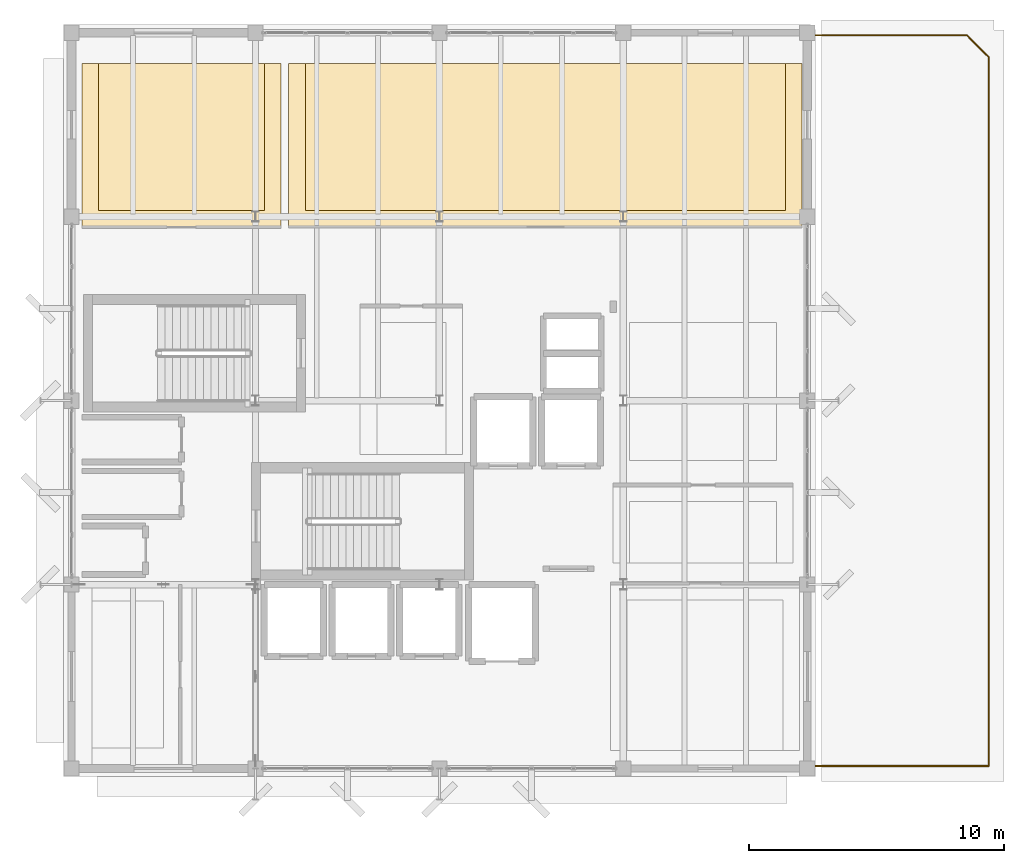
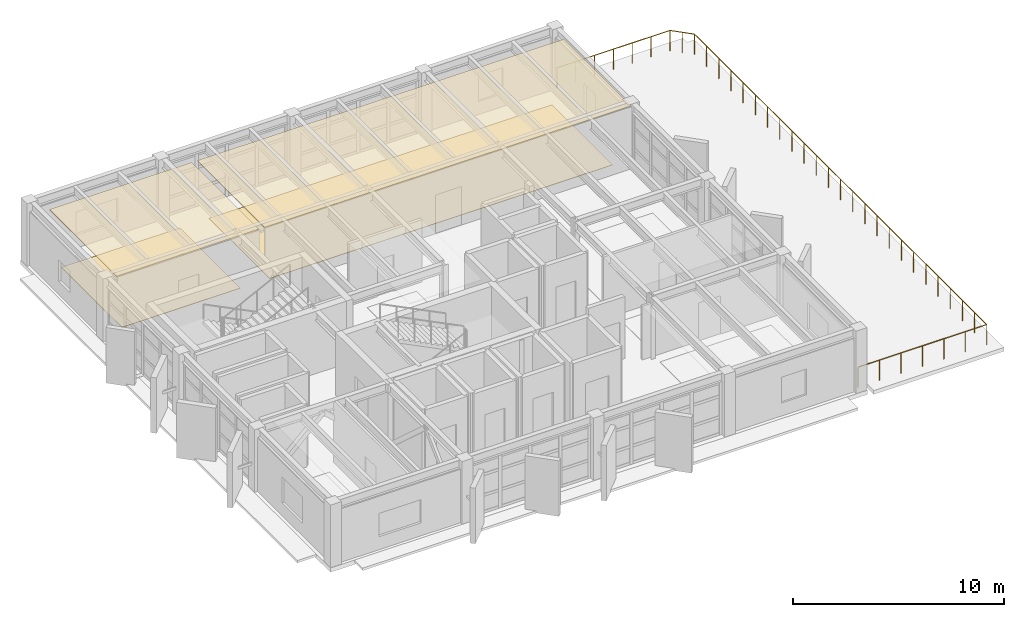
# One storey, part 19 of 19: 4 coverings, 1 railing.
"""IFC4 building model written with IfcOpenShell, lengths in metres."""

from ifc_helpers import new_model, si_unit, direction, frame, origin, origin_2d, place, context, subcontext, project, spatial, polyline, circle, outline, extrude, material, layer, layer_set, type_object, element, save


model = new_model("IFC4")

# Units and contexts
model_context = context("Model", 3, precision=1e-05, world=origin(), true_north=direction((0.0, 1.0)))
body_context = subcontext(model_context, "Body", "Model", "MODEL_VIEW")
ifc_project = project(units=[si_unit("LENGTHUNIT", "METRE"), si_unit("AREAUNIT", "SQUARE_METRE"), si_unit("VOLUMEUNIT", "CUBIC_METRE"), si_unit("PLANEANGLEUNIT", "RADIAN"), si_unit("MASSUNIT", "GRAM", prefix="KILO")], contexts=[model_context])

# Site, building, storey
site_placement = place(None, origin())
site = spatial("IfcSite", under=ifc_project, at=site_placement, CompositionType="ELEMENT")
building_placement = place(site_placement, origin())
building = spatial("IfcBuilding", under=site, at=building_placement, Name="Kandorven Conservatory and Botanical Research Centre", CompositionType="ELEMENT")
storey_placement = place(building_placement, frame((0.0, 0.0, 28.800048828125)))
storey = spatial("IfcBuildingStorey", under=building, at=storey_placement, Name="L07", CompositionType="ELEMENT", Elevation=28.800048828125)

# Coverings
ifc_material_1 = material(Name="Perforated mineral-fibre acoustic ceiling tile", Category="gypsum")
ifc_layer_1 = layer(ifc_material_1, 0.0400390625)
ifc_layer_set_1 = layer_set([ifc_layer_1], Name="Perforated mineral-fibre acoustic ceiling tile")
covering_type_1 = type_object("IfcCoveringType", Name="Cov_Ceiling_1", PredefinedType="CEILING", material=ifc_layer_set_1)
covering_1_placement = place(storey_placement, frame((0.0, 0.0, 3.56005859375)))
element("IfcCovering", 1, at=covering_1_placement, inside=storey, type_object=covering_type_1, Name="Suspended acoustic ceiling CLG-01 (Ethnobotany Field Specimen Studio L07)", PredefinedType="CEILING", context=body_context, shape_type="SweptSolid", body=[
    extrude(outline(polyline([(6.39990234375, 27.199951171875), (14.199951171875, 27.199951171875), (14.199951171875, 33.60009765625), (6.39990234375, 33.60009765625), (6.39990234375, 27.199951171875)])), origin(), (0.0, 0.0, 1.0), 0.039794921875),
])
covering_2_placement = place(storey_placement, frame((0.0, 0.0, 3.56005859375)))
element("IfcCovering", 2, at=covering_2_placement, inside=storey, type_object=covering_type_1, Name="Suspended acoustic ceiling CLG-01 (Taxonomic Verification Studio L07)", PredefinedType="CEILING", context=body_context, shape_type="SweptSolid", body=[
    extrude(outline(polyline([(14.5, 27.199951171875), (34.60009765625, 27.199951171875), (34.60009765625, 33.60009765625), (14.5, 33.60009765625), (14.5, 27.199951171875)])), origin(), (0.0, 0.0, 1.0), 0.039794921875),
])
ifc_material_2 = material(Name="Honed Kota stone and epoxy laboratory flooring", Category="masonry")
ifc_layer_2 = layer(ifc_material_2, 0.02490234375)
ifc_layer_set_2 = layer_set([ifc_layer_2], Name="Honed Kota stone and epoxy laboratory flooring")
covering_type_2 = type_object("IfcCoveringType", Name="Cov_Flooring_1", PredefinedType="FLOORING", material=ifc_layer_set_2)
covering_3_placement = place(storey_placement, origin())
element("IfcCovering", 3, at=covering_3_placement, inside=storey, type_object=covering_type_2, Name="Floor finish FLR-01 (Ethnobotany Field Specimen Studio L07)", PredefinedType="FLOORING", context=body_context, shape_type="SweptSolid", body=[
    extrude(outline(polyline([(7.050048828125, 27.85009765625), (13.550048828125, 27.85009765625), (13.550048828125, 33.60009765625), (7.050048828125, 33.60009765625), (7.050048828125, 27.85009765625)])), origin(), (0.0, 0.0, 1.0), 0.02490234375),
])
covering_4_placement = place(storey_placement, origin())
element("IfcCovering", 4, at=covering_4_placement, inside=storey, type_object=covering_type_2, Name="Floor finish FLR-01 (Taxonomic Verification Studio L07)", PredefinedType="FLOORING", context=body_context, shape_type="SweptSolid", body=[
    extrude(outline(polyline([(15.14990234375, 27.85009765625), (33.949951171875, 27.85009765625), (33.949951171875, 33.60009765625), (15.14990234375, 33.60009765625), (15.14990234375, 27.85009765625)])), origin(), (0.0, 0.0, 1.0), 0.02490234375),
])

# Railing
ifc_material_3 = material(Name="Steel S355 (IS 2062 E350)", Category="steel")
railing_type = type_object("IfcRailingType", Name="Guard_Terrace", PredefinedType="BALUSTRADE", material=ifc_material_3)
railing_placement = place(storey_placement, frame((34.85009765625, 6.10009765625, 0.0)))
element("IfcRailing", 5, at=railing_placement, inside=storey, type_object=railing_type, Name="Level L07 refuge terrace perimeter balustrade GR-01", PredefinedType="BALUSTRADE", context=body_context, shape_type="SweptSolid", body=[
    extrude(circle(Radius=0.02392578125, at=origin_2d()), frame((0.0, 0.0, 1.17578125), z_axis=(1.0, 0.0, 0.0), x_axis=(0.0, 1.0, 0.0)), (0.0, 0.0, 1.0), 7.0498046875),
    extrude(circle(Radius=0.02392578125, at=origin_2d()), frame((7.0498046875, 0.0, 1.17578125), z_axis=(0.0, 1.0, 0.0), x_axis=(-1.0, 0.0, 0.0)), (0.0, 0.0, 1.0), 27.75),
    extrude(circle(Radius=0.02392578125, at=origin_2d()), frame((7.0498046875, 27.75, 1.17578125), z_axis=(-0.707106781187, 0.707106781187, 0.0), x_axis=(-0.707106781187, -0.707106781187, 0.0)), (0.0, 0.0, 1.0), 1.201904296875),
    extrude(circle(Radius=0.02392578125, at=origin_2d()), frame((6.199951171875, 28.599853515625, 1.17578125), z_axis=(-1.0, 0.0, 0.0), x_axis=(0.0, -1.0, 0.0)), (0.0, 0.0, 1.0), 6.199951171875),
    extrude(circle(Radius=0.02099609375, at=origin_2d()), origin(), (0.0, 0.0, 1.0), 1.15185546875),
    extrude(circle(Radius=0.02099609375, at=origin_2d()), frame((1.175048828125, 0.0, 0.0)), (0.0, 0.0, 1.0), 1.15185546875),
    extrude(circle(Radius=0.02099609375, at=origin_2d()), frame((2.349853515625, 0.0, 0.0)), (0.0, 0.0, 1.0), 1.15185546875),
    extrude(circle(Radius=0.02099609375, at=origin_2d()), frame((3.52490234375, 0.0, 0.0)), (0.0, 0.0, 1.0), 1.15185546875),
    extrude(circle(Radius=0.02099609375, at=origin_2d()), frame((4.699951171875, 0.0, 0.0)), (0.0, 0.0, 1.0), 1.15185546875),
    extrude(circle(Radius=0.02099609375, at=origin_2d()), frame((5.874755859375, 0.0, 0.0)), (0.0, 0.0, 1.0), 1.15185546875),
    extrude(circle(Radius=0.02099609375, at=origin_2d()), frame((7.0498046875, 0.0, 0.0)), (0.0, 0.0, 1.0), 1.15185546875),
    extrude(circle(Radius=0.02099609375, at=origin_2d()), frame((7.0498046875, 1.15625, 0.0)), (0.0, 0.0, 1.0), 1.15185546875),
    extrude(circle(Radius=0.02099609375, at=origin_2d()), frame((7.0498046875, 2.3125, 0.0)), (0.0, 0.0, 1.0), 1.15185546875),
    extrude(circle(Radius=0.02099609375, at=origin_2d()), frame((7.0498046875, 3.46875, 0.0)), (0.0, 0.0, 1.0), 1.15185546875),
    extrude(circle(Radius=0.02099609375, at=origin_2d()), frame((7.0498046875, 4.625, 0.0)), (0.0, 0.0, 1.0), 1.15185546875),
    extrude(circle(Radius=0.02099609375, at=origin_2d()), frame((7.0498046875, 5.78125, 0.0)), (0.0, 0.0, 1.0), 1.15185546875),
    extrude(circle(Radius=0.02099609375, at=origin_2d()), frame((7.0498046875, 6.9375, 0.0)), (0.0, 0.0, 1.0), 1.15185546875),
    extrude(circle(Radius=0.02099609375, at=origin_2d()), frame((7.0498046875, 8.09375, 0.0)), (0.0, 0.0, 1.0), 1.15185546875),
    extrude(circle(Radius=0.02099609375, at=origin_2d()), frame((7.0498046875, 9.25, 0.0)), (0.0, 0.0, 1.0), 1.15185546875),
    extrude(circle(Radius=0.02099609375, at=origin_2d()), frame((7.0498046875, 10.40625, 0.0)), (0.0, 0.0, 1.0), 1.15185546875),
    extrude(circle(Radius=0.02099609375, at=origin_2d()), frame((7.0498046875, 11.5625, 0.0)), (0.0, 0.0, 1.0), 1.15185546875),
    extrude(circle(Radius=0.02099609375, at=origin_2d()), frame((7.0498046875, 12.71875, 0.0)), (0.0, 0.0, 1.0), 1.15185546875),
    extrude(circle(Radius=0.02099609375, at=origin_2d()), frame((7.0498046875, 13.875, 0.0)), (0.0, 0.0, 1.0), 1.15185546875),
    extrude(circle(Radius=0.02099609375, at=origin_2d()), frame((7.0498046875, 15.03125, 0.0)), (0.0, 0.0, 1.0), 1.15185546875),
    extrude(circle(Radius=0.02099609375, at=origin_2d()), frame((7.0498046875, 16.1875, 0.0)), (0.0, 0.0, 1.0), 1.15185546875),
    extrude(circle(Radius=0.02099609375, at=origin_2d()), frame((7.0498046875, 17.34375, 0.0)), (0.0, 0.0, 1.0), 1.15185546875),
    extrude(circle(Radius=0.02099609375, at=origin_2d()), frame((7.0498046875, 18.5, 0.0)), (0.0, 0.0, 1.0), 1.15185546875),
    extrude(circle(Radius=0.02099609375, at=origin_2d()), frame((7.0498046875, 19.65625, 0.0)), (0.0, 0.0, 1.0), 1.15185546875),
    extrude(circle(Radius=0.02099609375, at=origin_2d()), frame((7.0498046875, 20.8125, 0.0)), (0.0, 0.0, 1.0), 1.15185546875),
    extrude(circle(Radius=0.02099609375, at=origin_2d()), frame((7.0498046875, 21.96875, 0.0)), (0.0, 0.0, 1.0), 1.15185546875),
    extrude(circle(Radius=0.02099609375, at=origin_2d()), frame((7.0498046875, 23.125, 0.0)), (0.0, 0.0, 1.0), 1.15185546875),
    extrude(circle(Radius=0.02099609375, at=origin_2d()), frame((7.0498046875, 24.28125, 0.0)), (0.0, 0.0, 1.0), 1.15185546875),
    extrude(circle(Radius=0.02099609375, at=origin_2d()), frame((7.0498046875, 25.4375, 0.0)), (0.0, 0.0, 1.0), 1.15185546875),
    extrude(circle(Radius=0.02099609375, at=origin_2d()), frame((7.0498046875, 26.59375, 0.0)), (0.0, 0.0, 1.0), 1.15185546875),
    extrude(circle(Radius=0.02099609375, at=origin_2d()), frame((7.0498046875, 27.75, 0.0)), (0.0, 0.0, 1.0), 1.15185546875),
    extrude(circle(Radius=0.02099609375, at=origin_2d()), frame((6.625, 28.1748046875, 0.0)), (0.0, 0.0, 1.0), 1.15185546875),
    extrude(circle(Radius=0.02099609375, at=origin_2d()), frame((6.199951171875, 28.599853515625, 0.0)), (0.0, 0.0, 1.0), 1.15185546875),
    extrude(circle(Radius=0.02099609375, at=origin_2d()), frame((5.16650390625, 28.599853515625, 0.0)), (0.0, 0.0, 1.0), 1.15185546875),
    extrude(circle(Radius=0.02099609375, at=origin_2d()), frame((4.13330078125, 28.599853515625, 0.0)), (0.0, 0.0, 1.0), 1.15185546875),
    extrude(circle(Radius=0.02099609375, at=origin_2d()), frame((3.10009765625, 28.599853515625, 0.0)), (0.0, 0.0, 1.0), 1.15185546875),
    extrude(circle(Radius=0.02099609375, at=origin_2d()), frame((2.066650390625, 28.599853515625, 0.0)), (0.0, 0.0, 1.0), 1.15185546875),
    extrude(circle(Radius=0.02099609375, at=origin_2d()), frame((1.033203125, 28.599853515625, 0.0)), (0.0, 0.0, 1.0), 1.15185546875),
    extrude(circle(Radius=0.02099609375, at=origin_2d()), frame((0.0, 28.599853515625, 0.0)), (0.0, 0.0, 1.0), 1.15185546875),
])

save(model, "model.ifc")
